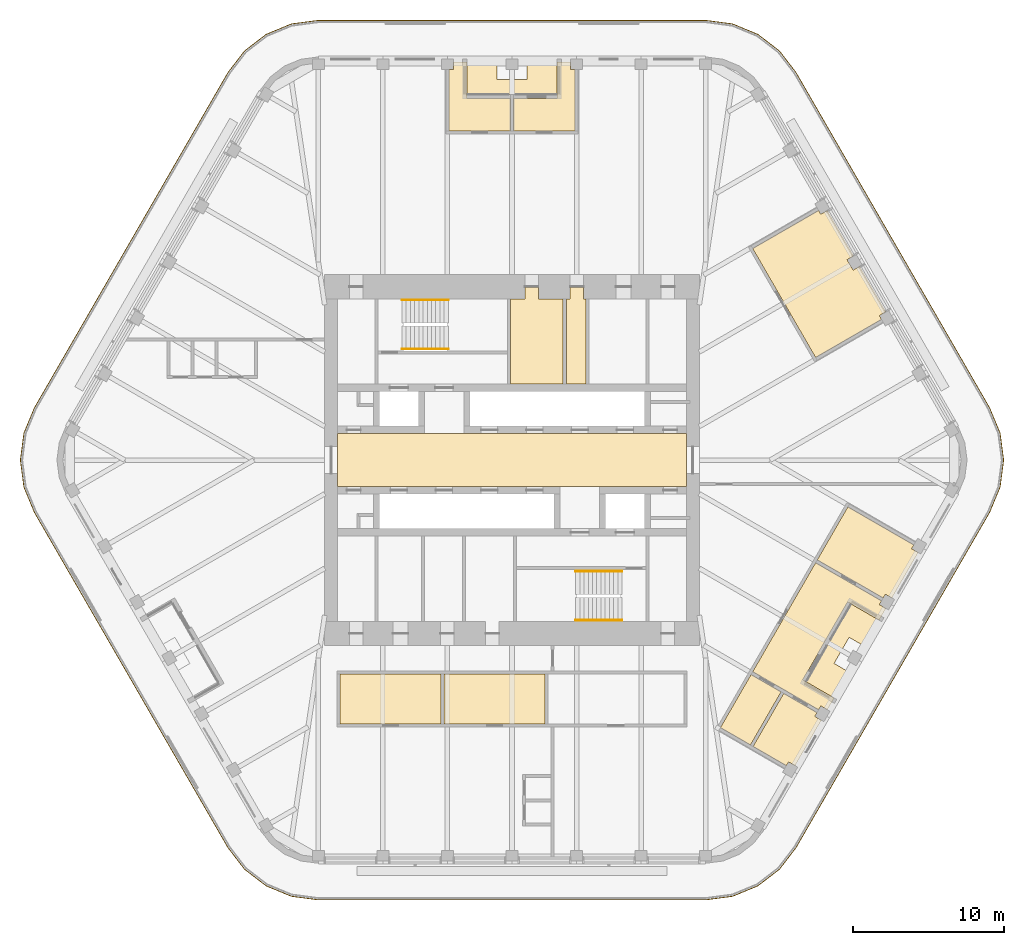
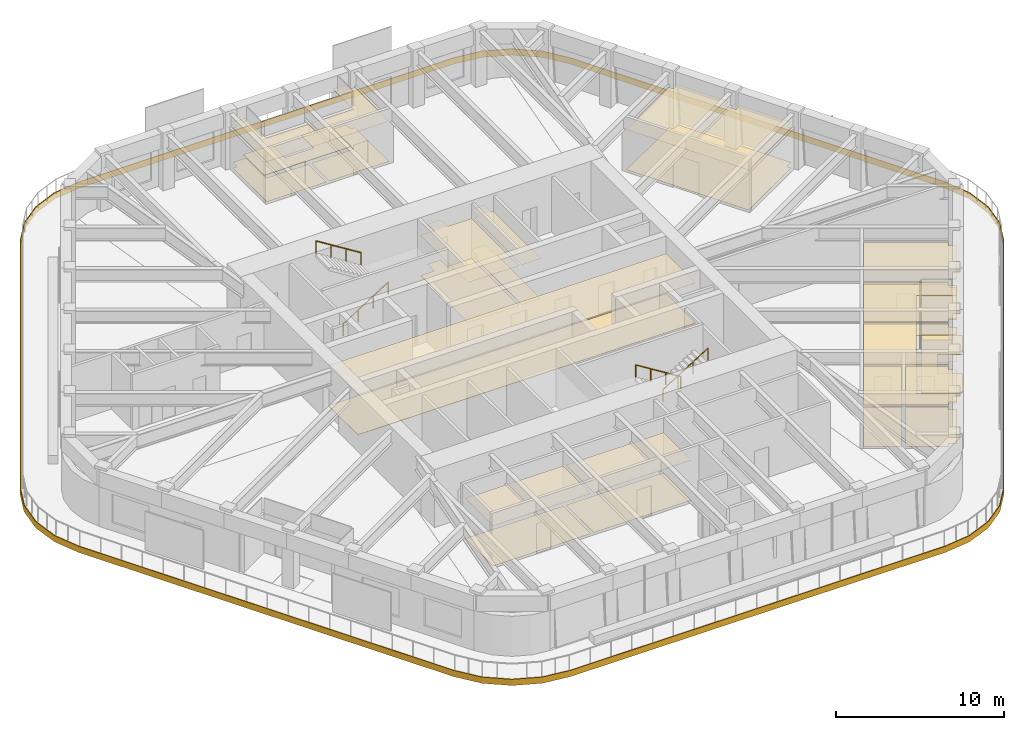
# One storey, part 19 of 20: 11 coverings, 4 railings.
"""IFC4 building model written with IfcOpenShell, lengths in metres."""

from ifc_helpers import new_model, si_unit, direction, frame, origin, origin_2d, place, context, subcontext, project, spatial, polyline, circle, outline, extrude, material, layer, layer_set, type_object, element, save


model = new_model("IFC4")

# Units and contexts
model_context = context("Model", 3, precision=1e-05, world=origin(), true_north=direction((0.0, 1.0)))
body_context = subcontext(model_context, "Body", "Model", "MODEL_VIEW")
ifc_project = project(units=[si_unit("LENGTHUNIT", "METRE"), si_unit("AREAUNIT", "SQUARE_METRE"), si_unit("VOLUMEUNIT", "CUBIC_METRE"), si_unit("PLANEANGLEUNIT", "RADIAN"), si_unit("MASSUNIT", "GRAM", prefix="KILO")], contexts=[model_context])

# Site, building, storey
site_placement = place(None, origin())
site = spatial("IfcSite", under=ifc_project, at=site_placement, CompositionType="ELEMENT")
building_placement = place(site_placement, origin())
building = spatial("IfcBuilding", under=site, at=building_placement, Name="Tarfa Lantern Tower", CompositionType="ELEMENT")
storey_placement = place(building_placement, frame((0.0, 0.0, 382.89990234375)))
storey = spatial("IfcBuildingStorey", under=building, at=storey_placement, Name="L87", CompositionType="ELEMENT", Elevation=382.89990234375)

# Coverings
ifc_material_1 = material(Name="Mineral fibre acoustic tile on suspension grid", Category="finish")
ifc_layer_1 = layer(ifc_material_1, 0.02001953125)
ifc_layer_set_1 = layer_set([ifc_layer_1], Name="CL1 ACOUSTIC TILE CEILING 20")
covering_type_1 = type_object("IfcCoveringType", Name="CL1 ACOUSTIC TILE CEILING 20", PredefinedType="CEILING", material=ifc_layer_set_1)
covering_1_placement = place(storey_placement, frame((0.0, 0.0, 2.900146484375)))
element("IfcCovering", 1, at=covering_1_placement, inside=storey, type_object=covering_type_1, Name="Ceiling L87 CL1", PredefinedType="CEILING", context=body_context, shape_type="SweptSolid", body=[
    extrude(outline(polyline([(-4.5, -14.199951171875), (2.199951171875, -14.199951171875), (2.199951171875, -17.5), (-4.5, -17.5), (-4.5, -14.199951171875)])), origin(), (0.0, 0.0, 1.0), 0.02001953125),
    extrude(outline(polyline([(-11.39990234375, -14.199951171875), (-4.699951171875, -14.199951171875), (-4.699951171875, -17.5), (-11.39990234375, -17.5), (-11.39990234375, -14.199951171875)])), origin(), (0.0, 0.0, 1.0), 0.02001953125),
    extrude(outline(polyline([(4.18212890625, 21.85009765625), (0.10009765625, 21.85009765625), (0.10009765625, 24.0), (2.98193359375, 24.0), (2.98193359375, 26.39990234375), (3.882080078125, 26.39990234375), (3.882080078125, 25.89990234375), (4.18212890625, 25.89990234375), (4.18212890625, 21.85009765625)])), origin(), (0.0, 0.0, 1.0), 0.02001953125),
    extrude(outline(polyline([(-2.98193359375, 24.0), (-0.10009765625, 24.0), (-0.10009765625, 21.85009765625), (-4.18212890625, 21.85009765625), (-4.18212890625, 25.89990234375), (-3.882080078125, 25.89990234375), (-3.882080078125, 26.39990234375), (-2.98193359375, 26.39990234375), (-2.98193359375, 24.0)])), origin(), (0.0, 0.0, 1.0), 0.02001953125),
    extrude(outline(polyline([(15.965576171875, 14.046630859375), (20.339111328125, 16.57177734375), (20.489013671875, 16.31201171875), (20.922119140625, 16.56201171875), (22.6630859375, 13.54638671875), (22.22998046875, 13.29638671875), (22.630126953125, 12.603515625), (23.06298828125, 12.853515625), (24.80419921875, 9.838134765625), (24.37109375, 9.588134765625), (24.52099609375, 9.328369140625), (20.147705078125, 6.80322265625), (15.965576171875, 14.046630859375)])), origin(), (0.0, 0.0, 1.0), 0.02001953125),
    extrude(outline(polyline([(15.98974609375, -19.005126953125), (18.03076171875, -15.469970703125), (20.239013671875, -16.744873046875), (20.089111328125, -17.004638671875), (20.52197265625, -17.254638671875), (18.781005859375, -20.270263671875), (18.34814453125, -20.020263671875), (18.197998046875, -20.280029296875), (15.98974609375, -19.005126953125)])), origin(), (0.0, 0.0, 1.0), 0.02001953125),
    extrude(outline(polyline([(20.147705078125, -6.80322265625), (24.52099609375, -9.328369140625), (24.37109375, -9.588134765625), (24.80419921875, -9.838134765625), (24.35400390625, -10.617431640625), (22.275634765625, -9.41748046875), (19.293701171875, -14.58251953125), (21.3720703125, -15.782470703125), (20.922119140625, -16.56201171875), (20.489013671875, -16.31201171875), (20.339111328125, -16.57177734375), (15.965576171875, -14.046630859375), (20.147705078125, -6.80322265625)])), origin(), (0.0, 0.0, 1.0), 0.02001953125),
    extrude(outline(polyline([(15.86572265625, -14.219970703125), (17.857421875, -15.369873046875), (15.81640625, -18.905029296875), (13.82470703125, -17.755126953125), (15.86572265625, -14.219970703125)])), origin(), (0.0, 0.0, 1.0), 0.02001953125),
    extrude(outline(polyline([(22.28857421875, -3.094970703125), (26.662109375, -5.619873046875), (26.511962890625, -5.879638671875), (26.945068359375, -6.129638671875), (25.2041015625, -9.145263671875), (24.77099609375, -8.895263671875), (24.62109375, -9.155029296875), (20.24755859375, -6.630126953125), (22.28857421875, -3.094970703125)])), origin(), (0.0, 0.0, 1.0), 0.02001953125),
])
ifc_material_2 = material(Name="Moisture-resistant plasterboard", Category="finish")
ifc_layer_2 = layer(ifc_material_2, 0.014892578125)
ifc_layer_set_2 = layer_set([ifc_layer_2], Name="CL2 MOISTURE-RESISTANT PLASTERBOARD CEILING 15")
covering_type_2 = type_object("IfcCoveringType", Name="CL2 MOISTURE-RESISTANT PLASTERBOARD CEILING 15", PredefinedType="CEILING", material=ifc_layer_set_2)
covering_2_placement = place(storey_placement, frame((0.0, 0.0, 2.900146484375)))
element("IfcCovering", 2, at=covering_2_placement, inside=storey, type_object=covering_type_2, Name="Ceiling L87-05", PredefinedType="CEILING", context=body_context, shape_type="SweptSolid", body=[
    extrude(outline(polyline([(0.85009765625, 10.699951171875), (-0.10009765625, 10.699951171875), (-0.10009765625, 5.050048828125), (3.39990234375, 5.050048828125), (3.39990234375, 10.699951171875), (1.75, 10.699951171875), (1.75, 11.5), (0.85009765625, 11.5), (0.85009765625, 11.5), (0.85009765625, 10.699951171875)])), origin(), (0.0, 0.0, 1.0), 0.014892578125),
])
covering_3_placement = place(storey_placement, frame((0.0, 0.0, 2.900146484375)))
element("IfcCovering", 3, at=covering_3_placement, inside=storey, type_object=covering_type_2, Name="Ceiling L87-06", PredefinedType="CEILING", context=body_context, shape_type="SweptSolid", body=[
    extrude(outline(polyline([(3.60009765625, 5.050048828125), (4.89990234375, 5.050048828125), (4.89990234375, 10.699951171875), (4.75, 10.699951171875), (4.75, 11.5), (3.85009765625, 11.5), (3.85009765625, 10.699951171875), (3.60009765625, 10.699951171875), (3.60009765625, 5.050048828125)])), origin(), (0.0, 0.0, 1.0), 0.014892578125),
])
ifc_material_3 = material(Name="Powder-coated aluminium panel", Category="aluminium")
ifc_layer_3 = layer(ifc_material_3, 0.030029296875)
ifc_layer_set_3 = layer_set([ifc_layer_3], Name="CL3 METAL PANEL CEILING 30")
covering_type_3 = type_object("IfcCoveringType", Name="CL3 METAL PANEL CEILING 30", PredefinedType="CEILING", material=ifc_layer_set_3)
covering_4_placement = place(storey_placement, frame((0.0, 0.0, 2.900146484375)))
element("IfcCovering", 4, at=covering_4_placement, inside=storey, type_object=covering_type_3, Name="Ceiling L87-01", PredefinedType="CEILING", context=body_context, shape_type="SweptSolid", body=[
    extrude(outline(polyline([(-11.574951171875, -1.75), (11.574951171875, -1.75), (11.574951171875, 1.75), (-11.574951171875, 1.75), (-11.574951171875, -1.75)])), origin(), (0.0, 0.0, 1.0), 0.030029296875),
])
ifc_material_4 = material(Name="Nylon carpet tile", Category="finish")
ifc_layer_4 = layer(ifc_material_4, 0.010009765625)
ifc_layer_set_4 = layer_set([ifc_layer_4], Name="FL1 CARPET TILE 10")
covering_type_4 = type_object("IfcCoveringType", Name="FL1 CARPET TILE 10", PredefinedType="FLOORING", material=ifc_layer_set_4)
covering_5_placement = place(storey_placement, origin())
element("IfcCovering", 5, at=covering_5_placement, inside=storey, type_object=covering_type_4, Name="Floor finish L87 FL1", PredefinedType="FLOORING", context=body_context, shape_type="SweptSolid", body=[
    extrude(outline(polyline([(-4.5, -14.199951171875), (2.199951171875, -14.199951171875), (2.199951171875, -17.5), (-4.5, -17.5), (-4.5, -14.199951171875)])), origin(), (0.0, 0.0, 1.0), 0.010009765625),
    extrude(outline(polyline([(-11.39990234375, -14.199951171875), (-4.699951171875, -14.199951171875), (-4.699951171875, -17.5), (-11.39990234375, -17.5), (-11.39990234375, -14.199951171875)])), origin(), (0.0, 0.0, 1.0), 0.010009765625),
    extrude(outline(polyline([(4.18212890625, 21.85009765625), (0.10009765625, 21.85009765625), (0.10009765625, 24.0), (2.98193359375, 24.0), (2.98193359375, 26.39990234375), (3.882080078125, 26.39990234375), (3.882080078125, 25.89990234375), (4.18212890625, 25.89990234375), (4.18212890625, 21.85009765625)])), origin(), (0.0, 0.0, 1.0), 0.010009765625),
    extrude(outline(polyline([(-2.98193359375, 24.0), (-0.10009765625, 24.0), (-0.10009765625, 21.85009765625), (-4.18212890625, 21.85009765625), (-4.18212890625, 25.89990234375), (-3.882080078125, 25.89990234375), (-3.882080078125, 26.39990234375), (-2.98193359375, 26.39990234375), (-2.98193359375, 24.0)])), origin(), (0.0, 0.0, 1.0), 0.010009765625),
    extrude(outline(polyline([(15.965576171875, 14.046630859375), (20.339111328125, 16.57177734375), (20.489013671875, 16.31201171875), (20.922119140625, 16.56201171875), (22.6630859375, 13.54638671875), (22.22998046875, 13.29638671875), (22.630126953125, 12.603515625), (23.06298828125, 12.853515625), (24.80419921875, 9.838134765625), (24.37109375, 9.588134765625), (24.52099609375, 9.328369140625), (20.147705078125, 6.80322265625), (15.965576171875, 14.046630859375)])), origin(), (0.0, 0.0, 1.0), 0.010009765625),
    extrude(outline(polyline([(15.98974609375, -19.005126953125), (18.03076171875, -15.469970703125), (20.239013671875, -16.744873046875), (20.089111328125, -17.004638671875), (20.52197265625, -17.254638671875), (18.781005859375, -20.270263671875), (18.34814453125, -20.020263671875), (18.197998046875, -20.280029296875), (15.98974609375, -19.005126953125)])), origin(), (0.0, 0.0, 1.0), 0.010009765625),
    extrude(outline(polyline([(20.147705078125, -6.80322265625), (24.52099609375, -9.328369140625), (24.37109375, -9.588134765625), (24.80419921875, -9.838134765625), (24.35400390625, -10.617431640625), (22.275634765625, -9.41748046875), (19.293701171875, -14.58251953125), (21.3720703125, -15.782470703125), (20.922119140625, -16.56201171875), (20.489013671875, -16.31201171875), (20.339111328125, -16.57177734375), (15.965576171875, -14.046630859375), (20.147705078125, -6.80322265625)])), origin(), (0.0, 0.0, 1.0), 0.010009765625),
    extrude(outline(polyline([(15.86572265625, -14.219970703125), (17.857421875, -15.369873046875), (15.81640625, -18.905029296875), (13.82470703125, -17.755126953125), (15.86572265625, -14.219970703125)])), origin(), (0.0, 0.0, 1.0), 0.010009765625),
    extrude(outline(polyline([(22.28857421875, -3.094970703125), (26.662109375, -5.619873046875), (26.511962890625, -5.879638671875), (26.945068359375, -6.129638671875), (25.2041015625, -9.145263671875), (24.77099609375, -8.895263671875), (24.62109375, -9.155029296875), (20.24755859375, -6.630126953125), (22.28857421875, -3.094970703125)])), origin(), (0.0, 0.0, 1.0), 0.010009765625),
])
ifc_material_5 = material(Name="Honed limestone flooring", Category="masonry")
ifc_layer_5 = layer(ifc_material_5, 0.030029296875)
ifc_layer_set_5 = layer_set([ifc_layer_5], Name="FL2 STONE FLOORING 30")
covering_type_5 = type_object("IfcCoveringType", Name="FL2 STONE FLOORING 30", PredefinedType="FLOORING", material=ifc_layer_set_5)
covering_6_placement = place(storey_placement, origin())
element("IfcCovering", 6, at=covering_6_placement, inside=storey, type_object=covering_type_5, Name="Floor finish L87-01", PredefinedType="FLOORING", context=body_context, shape_type="SweptSolid", body=[
    extrude(outline(polyline([(-11.574951171875, -1.75), (11.574951171875, -1.75), (11.574951171875, 1.75), (-11.574951171875, 1.75), (-11.574951171875, -1.75)])), origin(), (0.0, 0.0, 1.0), 0.030029296875),
])
ifc_material_6 = material(Name="Porcelain floor tile", Category="finish")
ifc_layer_6 = layer(ifc_material_6, 0.011962890625)
ifc_layer_set_6 = layer_set([ifc_layer_6], Name="FL3 CERAMIC TILE 12")
covering_type_6 = type_object("IfcCoveringType", Name="FL3 CERAMIC TILE 12", PredefinedType="FLOORING", material=ifc_layer_set_6)
covering_7_placement = place(storey_placement, origin())
element("IfcCovering", 7, at=covering_7_placement, inside=storey, type_object=covering_type_6, Name="Floor finish L87-05", PredefinedType="FLOORING", context=body_context, shape_type="SweptSolid", body=[
    extrude(outline(polyline([(0.85009765625, 10.699951171875), (-0.10009765625, 10.699951171875), (-0.10009765625, 5.050048828125), (3.39990234375, 5.050048828125), (3.39990234375, 10.699951171875), (1.75, 10.699951171875), (1.75, 11.5), (0.85009765625, 11.5), (0.85009765625, 11.5), (0.85009765625, 10.699951171875)])), origin(), (0.0, 0.0, 1.0), 0.01220703125),
])
covering_8_placement = place(storey_placement, origin())
element("IfcCovering", 8, at=covering_8_placement, inside=storey, type_object=covering_type_6, Name="Floor finish L87-06", PredefinedType="FLOORING", context=body_context, shape_type="SweptSolid", body=[
    extrude(outline(polyline([(3.60009765625, 5.050048828125), (4.89990234375, 5.050048828125), (4.89990234375, 10.699951171875), (4.75, 10.699951171875), (4.75, 11.5), (3.85009765625, 11.5), (3.85009765625, 10.699951171875), (3.60009765625, 10.699951171875), (3.60009765625, 5.050048828125)])), origin(), (0.0, 0.0, 1.0), 0.01220703125),
])

# Railings
ifc_material_7 = material(Name="Stainless steel", Category="steel")
railing_type = type_object("IfcRailingType", Name="HR1 HANDRAIL 900", PredefinedType="HANDRAIL", material=ifc_material_7)
railing_1_placement = place(storey_placement, frame((-7.300048828125, 7.3798828125, 0.175048828125)))
element("IfcRailing", 9, at=railing_1_placement, inside=storey, type_object=railing_type, Name="Handrail 1", PredefinedType="HANDRAIL", context=body_context, shape_type="SweptSolid", body=[
    extrude(circle(Radius=0.02392578125, at=origin_2d()), frame((0.0, 0.0, 0.8759765625), z_axis=(0.847998304005, 0.0, 0.529998940003), x_axis=(0.0, 1.0, 0.0)), (0.0, 0.0, 1.0), 3.632080078125),
    extrude(circle(Radius=0.02099609375, at=origin_2d()), frame((0.0, 0.0, 0.0), z_axis=(0.0, 0.0, 1.0), x_axis=(0.0, 1.0, 0.0)), (0.0, 0.0, 1.0), 0.851806640625),
    extrude(circle(Radius=0.02099609375, at=origin_2d()), frame((1.026611328125, 0.0, 0.6416015625), z_axis=(0.0, 0.0, 1.0), x_axis=(0.0, 1.0, 0.0)), (0.0, 0.0, 1.0), 0.851806640625),
    extrude(circle(Radius=0.02099609375, at=origin_2d()), frame((2.053466796875, 0.0, 1.283447265625), z_axis=(0.0, 0.0, 1.0), x_axis=(0.0, 1.0, 0.0)), (0.0, 0.0, 1.0), 0.851806640625),
    extrude(circle(Radius=0.02099609375, at=origin_2d()), frame((3.080078125, 0.0, 1.925048828125), z_axis=(0.0, 0.0, 1.0), x_axis=(0.0, 1.0, 0.0)), (0.0, 0.0, 1.0), 0.851806640625),
])
for number, where, name in (
    (10, (-4.219970703125, 10.6201171875, 2.275146484375), "Handrail 2"),
    (11, (7.300048828125, -7.3798828125, 0.175048828125), "Handrail 1"),
):
    element("IfcRailing", number, at=place(storey_placement, frame(where)), inside=storey, type_object=railing_type, Name=name, PredefinedType="HANDRAIL", context=body_context, shape_type="SweptSolid", body=[
        extrude(circle(Radius=0.02392578125, at=origin_2d()), frame((0.0, 0.0, 0.8759765625), z_axis=(-0.847998304005, 0.0, 0.529998940003), x_axis=(0.0, -1.0, 0.0)), (0.0, 0.0, 1.0), 3.632080078125),
        extrude(circle(Radius=0.02099609375, at=origin_2d()), frame((0.0, 0.0, 0.0), z_axis=(0.0, 0.0, 1.0), x_axis=(0.0, -1.0, 0.0)), (0.0, 0.0, 1.0), 0.851806640625),
        extrude(circle(Radius=0.02099609375, at=origin_2d()), frame((-1.026611328125, 0.0, 0.6416015625), z_axis=(0.0, 0.0, 1.0), x_axis=(0.0, -1.0, 0.0)), (0.0, 0.0, 1.0), 0.851806640625),
        extrude(circle(Radius=0.02099609375, at=origin_2d()), frame((-2.053466796875, 0.0, 1.283447265625), z_axis=(0.0, 0.0, 1.0), x_axis=(0.0, -1.0, 0.0)), (0.0, 0.0, 1.0), 0.851806640625),
        extrude(circle(Radius=0.02099609375, at=origin_2d()), frame((-3.080078125, 0.0, 1.925048828125), z_axis=(0.0, 0.0, 1.0), x_axis=(0.0, -1.0, 0.0)), (0.0, 0.0, 1.0), 0.851806640625),
    ])
railing_2_placement = place(storey_placement, frame((4.219970703125, -10.6201171875, 2.275146484375)))
element("IfcRailing", 12, at=railing_2_placement, inside=storey, type_object=railing_type, Name="Handrail 2", PredefinedType="HANDRAIL", context=body_context, shape_type="SweptSolid", body=[
    extrude(circle(Radius=0.02392578125, at=origin_2d()), frame((0.0, 0.0, 0.8759765625), z_axis=(0.847998304005, 0.0, 0.529998940003), x_axis=(0.0, 1.0, 0.0)), (0.0, 0.0, 1.0), 3.632080078125),
    extrude(circle(Radius=0.02099609375, at=origin_2d()), frame((0.0, 0.0, 0.0), z_axis=(0.0, 0.0, 1.0), x_axis=(0.0, 1.0, 0.0)), (0.0, 0.0, 1.0), 0.851806640625),
    extrude(circle(Radius=0.02099609375, at=origin_2d()), frame((1.026611328125, 0.0, 0.6416015625), z_axis=(0.0, 0.0, 1.0), x_axis=(0.0, 1.0, 0.0)), (0.0, 0.0, 1.0), 0.851806640625),
    extrude(circle(Radius=0.02099609375, at=origin_2d()), frame((2.053466796875, 0.0, 1.283447265625), z_axis=(0.0, 0.0, 1.0), x_axis=(0.0, 1.0, 0.0)), (0.0, 0.0, 1.0), 0.851806640625),
    extrude(circle(Radius=0.02099609375, at=origin_2d()), frame((3.080078125, 0.0, 1.925048828125), z_axis=(0.0, 0.0, 1.0), x_axis=(0.0, 1.0, 0.0)), (0.0, 0.0, 1.0), 0.851806640625),
])

# Coverings
ifc_material_8 = material(Name="Porcelain pavers on pedestals", Category="ceramic")
ifc_layer_7 = layer(ifc_material_8, 0.0400390625)
ifc_layer_set_7 = layer_set([ifc_layer_7], Name="LP1 LOGGIA PAVING 40")
covering_type_7 = type_object("IfcCoveringType", Name="LP1 LOGGIA PAVING 40", PredefinedType="FLOORING", material=ifc_layer_set_7)
covering_9_placement = place(storey_placement, origin())
element("IfcCovering", 13, at=covering_9_placement, inside=storey, type_object=covering_type_7, Name="Terrace paving N", PredefinedType="FLOORING", context=body_context, shape_type="SweptSolid", body=[
    extrude(outline(polyline([(2.98193359375, 26.75), (2.98193359375, 24.27001953125), (-2.98193359375, 24.27001953125), (-2.98193359375, 26.75), (-1.0, 26.75), (-1.0, 25.25), (1.0, 25.25), (1.0, 26.75), (2.98193359375, 26.75)])), origin(), (0.0, 0.0, 1.0), 0.0400390625),
])
covering_10_placement = place(storey_placement, origin())
element("IfcCovering", 14, at=covering_10_placement, inside=storey, type_object=covering_type_7, Name="Terrace paving SE", PredefinedType="FLOORING", context=body_context, shape_type="SweptSolid", body=[
    extrude(outline(polyline([(21.67529296875, -15.95751953125), (19.52734375, -14.717529296875), (22.509521484375, -9.552490234375), (24.6572265625, -10.79248046875), (23.666259765625, -12.509033203125), (22.3671875, -11.759033203125), (21.3671875, -13.490966796875), (22.666259765625, -14.240966796875), (21.67529296875, -15.95751953125)])), origin(), (0.0, 0.0, 1.0), 0.0400390625),
])
ifc_material_9 = material(Name="Limestone cladding on brackets", Category="masonry")
ifc_layer_8 = layer(ifc_material_9, 0.050048828125)
ifc_layer_set_8 = layer_set([ifc_layer_8], Name="SB1 STONE BAND CLADDING 50")
covering_type_8 = type_object("IfcCoveringType", Name="SB1 STONE BAND CLADDING 50", PredefinedType="CLADDING", material=ifc_layer_set_8)
covering_11_placement = place(storey_placement, frame((0.0, 0.0, -0.39990234375)))
element("IfcCovering", 15, at=covering_11_placement, inside=storey, type_object=covering_type_8, Name="Stone band", PredefinedType="CLADDING", context=body_context, shape_type="SweptSolid", body=[
    extrude(outline(polyline([(31.7109375, 3.47509765625), (18.864990234375, 25.72509765625), (17.760498046875, 27.164306640625), (16.321044921875, 28.268798828125), (14.644775390625, 28.963134765625), (12.845947265625, 29.199951171875), (-12.845947265625, 29.199951171875), (-14.644775390625, 28.963134765625), (-16.321044921875, 28.268798828125), (-17.760498046875, 27.164306640625), (-18.864990234375, 25.72509765625), (-31.7109375, 3.47509765625), (-32.4052734375, 1.798828125), (-32.64208984375, 0.0), (-32.4052734375, -1.798828125), (-31.7109375, -3.47509765625), (-18.864990234375, -25.72509765625), (-17.760498046875, -27.164306640625), (-16.321044921875, -28.268798828125), (-14.644775390625, -28.963134765625), (-12.845947265625, -29.199951171875), (12.845947265625, -29.199951171875), (14.644775390625, -28.963134765625), (16.321044921875, -28.268798828125), (17.760498046875, -27.164306640625), (18.864990234375, -25.72509765625), (31.7109375, -3.47509765625), (32.4052734375, -1.798828125), (32.64208984375, 0.0), (32.4052734375, 1.798828125), (31.7109375, 3.47509765625)]), holes=[polyline([(31.667724609375, 3.449951171875), (18.821533203125, 25.699951171875), (17.72509765625, 27.129150390625), (16.296142578125, 28.2255859375), (14.6318359375, 28.914794921875), (12.845947265625, 29.14990234375), (-12.845947265625, 29.14990234375), (-14.6318359375, 28.914794921875), (-16.296142578125, 28.2255859375), (-17.72509765625, 27.129150390625), (-18.821533203125, 25.699951171875), (-31.667724609375, 3.449951171875), (-32.35693359375, 1.785888671875), (-32.592041015625, 0.0), (-32.35693359375, -1.785888671875), (-31.667724609375, -3.449951171875), (-18.821533203125, -25.699951171875), (-17.72509765625, -27.129150390625), (-16.296142578125, -28.2255859375), (-14.6318359375, -28.914794921875), (-12.845947265625, -29.14990234375), (12.845947265625, -29.14990234375), (14.6318359375, -28.914794921875), (16.296142578125, -28.2255859375), (17.72509765625, -27.129150390625), (18.821533203125, -25.699951171875), (31.667724609375, -3.449951171875), (32.35693359375, -1.785888671875), (32.592041015625, 0.0), (32.35693359375, 1.785888671875), (31.667724609375, 3.449951171875)])]), origin(), (0.0, 0.0, 1.0), 0.449951171875),
])

save(model, "model.ifc")
